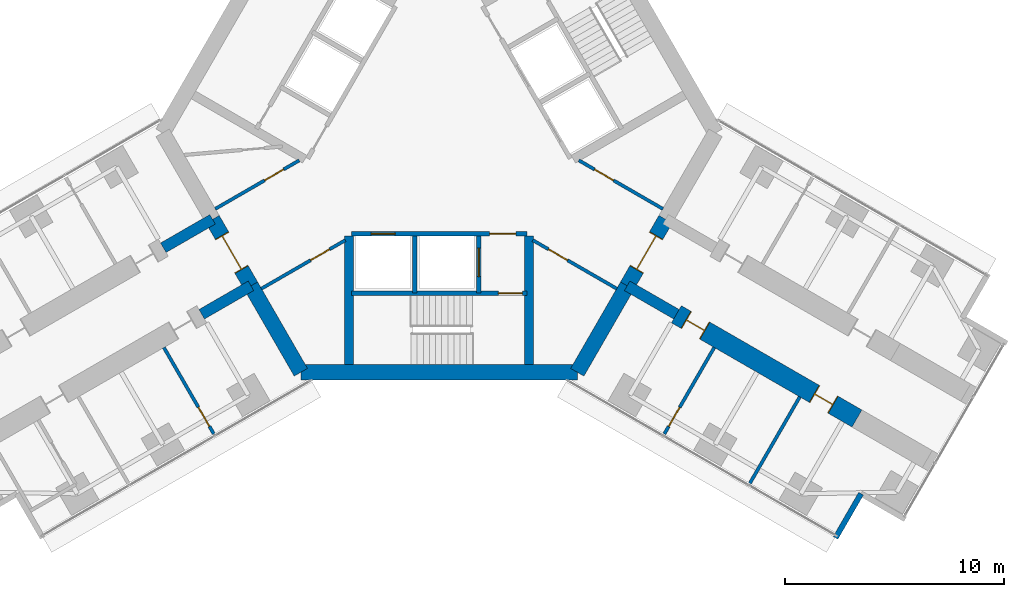
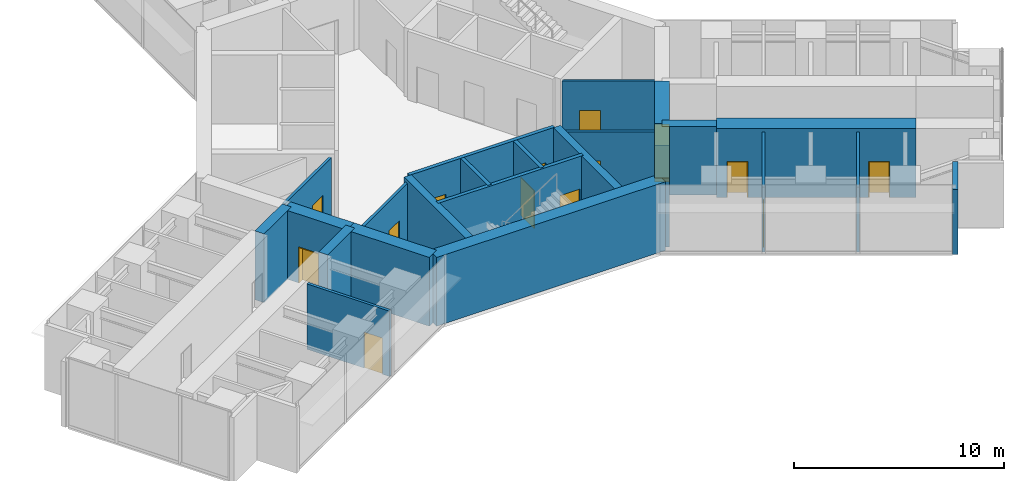
# One storey, part 20 of 24: 23 walls, 14 doors, 14 openings.
"""IFC4 building model written with IfcOpenShell, lengths in metres."""

from ifc_helpers import new_model, si_unit, direction, frame, frame_2d, origin, place, context, subcontext, project, spatial, rectangle, extrude, material, layer, layer_set, type_object, element, fill, save


model = new_model("IFC4")

# Units and contexts
model_context = context("Model", 3, precision=1e-05, world=origin(), true_north=direction((0.0, 1.0)))
body_context = subcontext(model_context, "Body", "Model", "MODEL_VIEW")
ifc_project = project(units=[si_unit("LENGTHUNIT", "METRE"), si_unit("AREAUNIT", "SQUARE_METRE"), si_unit("VOLUMEUNIT", "CUBIC_METRE"), si_unit("PLANEANGLEUNIT", "RADIAN"), si_unit("MASSUNIT", "GRAM", prefix="KILO")], contexts=[model_context])

# Site, building, storey
site_placement = place(None, origin())
site = spatial("IfcSite", under=ifc_project, at=site_placement, CompositionType="ELEMENT")
building_placement = place(site_placement, origin())
building = spatial("IfcBuilding", under=site, at=building_placement, Name="Upepo Twin Towers", CompositionType="ELEMENT")
storey_placement = place(building_placement, frame((0.0, 0.0, 68.5)))
storey = spatial("IfcBuildingStorey", under=building, at=storey_placement, Name="L16", CompositionType="ELEMENT", Elevation=68.5)

# Walls
ifc_material_1 = material(Name="Concrete C60/75", Category="concrete")
ifc_layer_1 = layer(ifc_material_1, 0.5)
ifc_layer_set_1 = layer_set([ifc_layer_1], Name="Concrete C60/75")
wall_type_1 = type_object("IfcWallType", Name="Buttress wall 500 RC", PredefinedType="SHEAR", material=ifc_layer_set_1)
for number, where, z_axis, x_axis, name in (
    (1, (49.92822265625, -24.9697265625, 0.0), (0.0, 0.0, 1.0), (-0.866031863473, -0.499988811324, 0.0), "T2 wing B buttress wall L"),
    (2, (48.17822265625, -21.938720703125, 0.0), (0.0, 0.0, 1.0), (-0.866072649678, -0.499918158782, 0.0), "T2 wing B buttress wall R"),
    (3, (67.07177734375, -24.9697265625, 0.0), (0.0, 0.0, 1.0), (0.866031863473, -0.499988811324, 0.0), "T2 wing C buttress wall R"),
):
    element("IfcWall", number, at=place(storey_placement, frame(where, z_axis=z_axis, x_axis=x_axis)), inside=storey, type_object=wall_type_1, Name=name, PredefinedType="SHEAR", context=body_context, shape_type="SweptSolid", body=[
        extrude(rectangle(XDim=2.591796875, YDim=0.5, at=frame_2d((1.2958984375, 0.0))), origin(), (0.0, 0.0, 1.0), 4.0),
    ])

# Wall, openings, doors
ifc_material_2 = material(Name="Concrete C60/75", Category="concrete")
ifc_layer_2 = layer(ifc_material_2, 0.89990234375)
ifc_layer_set_2 = layer_set([ifc_layer_2], Name="Concrete C60/75")
wall_type_2 = type_object("IfcWallType", Name="Buttress wall 900 RC", PredefinedType="SHEAR", material=ifc_layer_set_2)
wall_1_placement = place(storey_placement, frame((69.31640625, -26.265625, 0.0), z_axis=(0.0, 0.0, 1.0), x_axis=(0.86602681393, -0.499997557548, 0.0)))
wall_1 = element("IfcWall", 4, at=wall_1_placement, inside=storey, type_object=wall_type_2, Name="T2 wing C buttress wall R part 2", PredefinedType="SHEAR", context=body_context, shape_type="SweptSolid", body=[
    extrude(rectangle(XDim=9.5, YDim=0.89990234375, at=frame_2d((4.75, 0.0))), origin(), (0.0, 0.0, 1.0), 4.0),
])
opening_1_placement = place(wall_1_placement, frame((0.5, 0.0, 0.0)))
opening_1 = element("IfcOpeningElement", 5, at=opening_1_placement, cuts=wall_1, Name="Opening D1", PredefinedType="OPENING", context=body_context, shape_type="SweptSolid", body=[
    extrude(rectangle(XDim=1.0, YDim=2.10009765625, at=frame_2d((0.5, 1.050048828125))), frame((0.0, 0.4599609375, 0.0), z_axis=(0.0, -1.0, 0.0), x_axis=(1.0, 0.0, 0.0)), (0.0, 0.0, 1.0), 0.919921875),
])
opening_2_placement = place(wall_1_placement, frame((7.25, 0.0, 0.0)))
opening_2 = element("IfcOpeningElement", 6, at=opening_2_placement, cuts=wall_1, Name="Opening D1", PredefinedType="OPENING", context=body_context, shape_type="SweptSolid", body=[
    extrude(rectangle(XDim=1.0, YDim=2.10009765625, at=frame_2d((0.5, 1.050048828125))), frame((0.0, 0.4599609375, 0.0), z_axis=(0.0, -1.0, 0.0), x_axis=(1.0, 0.0, 0.0)), (0.0, 0.0, 1.0), 0.919921875),
])
ifc_material_3 = material(Name="Timber doorset", Category="wood")
door_type_1 = type_object("IfcDoorType", Name="Room door 1000 FD30", OperationType="SINGLE_SWING_LEFT", PredefinedType="DOOR", material=ifc_material_3)
door_1_placement = place(opening_1_placement, origin())
door_1 = element("IfcDoor", 7, at=door_1_placement, inside=storey, type_object=door_type_1, Name="T2 L16 staff office door", OperationType="SINGLE_SWING_LEFT", OverallHeight=2.10009765625, OverallWidth=1.0, PredefinedType="DOOR", context=body_context, shape_type="SweptSolid", body=[
    extrude(rectangle(XDim=0.92, YDim=2.06009765625, at=frame_2d((0.5, 1.030029296875))), frame((0.0, 0.02490234375, 0.0), z_axis=(0.0, -1.0, 0.0), x_axis=(1.0, 0.0, 0.0)), (0.0, 0.0, 1.0), 0.050048828125),
    extrude(rectangle(XDim=0.04, YDim=2.10009765625, at=frame_2d((0.02001953125, 1.050048828125))), frame((0.0, 0.44970703125, 0.0), z_axis=(0.0, -1.0, 0.0), x_axis=(1.0, 0.0, 0.0)), (0.0, 0.0, 1.0), 0.8994140625),
    extrude(rectangle(XDim=0.04, YDim=2.10009765625, at=frame_2d((0.97998046875, 1.050048828125))), frame((0.0, 0.44970703125, 0.0), z_axis=(0.0, -1.0, 0.0), x_axis=(1.0, 0.0, 0.0)), (0.0, 0.0, 1.0), 0.8994140625),
    extrude(rectangle(XDim=0.92, YDim=0.04, at=frame_2d((0.5, 2.080078125))), frame((0.0, 0.44970703125, 0.0), z_axis=(0.0, -1.0, 0.0), x_axis=(1.0, 0.0, 0.0)), (0.0, 0.0, 1.0), 0.8994140625),
])
fill(opening_1, door_1)
door_2_placement = place(opening_2_placement, origin())
door_2 = element("IfcDoor", 8, at=door_2_placement, inside=storey, type_object=door_type_1, Name="T2 L16 tutorial room door", OperationType="SINGLE_SWING_RIGHT", OverallHeight=2.10009765625, OverallWidth=1.0, PredefinedType="DOOR", context=body_context, shape_type="SweptSolid", body=[
    extrude(rectangle(XDim=0.92, YDim=2.06009765625, at=frame_2d((0.5, 1.030029296875))), frame((0.0, 0.02490234375, 0.0), z_axis=(0.0, -1.0, 0.0), x_axis=(1.0, 0.0, 0.0)), (0.0, 0.0, 1.0), 0.050048828125),
    extrude(rectangle(XDim=0.04, YDim=2.10009765625, at=frame_2d((0.02001953125, 1.050048828125))), frame((0.0, 0.44970703125, 0.0), z_axis=(0.0, -1.0, 0.0), x_axis=(1.0, 0.0, 0.0)), (0.0, 0.0, 1.0), 0.8994140625),
    extrude(rectangle(XDim=0.04, YDim=2.10009765625, at=frame_2d((0.97998046875, 1.050048828125))), frame((0.0, 0.44970703125, 0.0), z_axis=(0.0, -1.0, 0.0), x_axis=(1.0, 0.0, 0.0)), (0.0, 0.0, 1.0), 0.8994140625),
    extrude(rectangle(XDim=0.92, YDim=0.04, at=frame_2d((0.5, 2.080078125))), frame((0.0, 0.44970703125, 0.0), z_axis=(0.0, -1.0, 0.0), x_axis=(1.0, 0.0, 0.0)), (0.0, 0.0, 1.0), 0.8994140625),
])
fill(opening_2, door_2)

# Wall, opening, door
ifc_material_4 = material(Name="Concrete C60/75", Category="concrete")
ifc_layer_3 = layer(ifc_material_4, 0.699951171875)
ifc_layer_set_3 = layer_set([ifc_layer_3], Name="Concrete C60/75")
wall_type_3 = type_object("IfcWallType", Name="Core wall 700 RC", PredefinedType="SHEAR", material=ifc_layer_set_3)
wall_2_placement = place(storey_placement, frame((48.17822265625, -21.938720703125, 0.0), z_axis=(0.0, 0.0, 1.0), x_axis=(0.500010275428, -0.866019471182, 0.0)))
wall_2 = element("IfcWall", 9, at=wall_2_placement, inside=storey, type_object=wall_type_3, Name="T2 core wall 120", PredefinedType="SHEAR", context=body_context, shape_type="SweptSolid", body=[
    extrude(rectangle(XDim=3.5, YDim=0.699951171875, at=frame_2d((1.75, 0.0))), origin(), (0.0, 0.0, 1.0), 4.0),
])
opening_3_placement = place(wall_2_placement, frame((0.85009765625, 0.0, 0.0)))
opening_3 = element("IfcOpeningElement", 10, at=opening_3_placement, cuts=wall_2, Name="Opening D2", PredefinedType="OPENING", context=body_context, shape_type="SweptSolid", body=[
    extrude(rectangle(XDim=1.800048828125, YDim=2.10009765625, at=frame_2d((0.89990234375, 1.050048828125))), frame((0.0, 0.35986328125, 0.0), z_axis=(0.0, -1.0, 0.0), x_axis=(1.0, 0.0, 0.0)), (0.0, 0.0, 1.0), 0.719970703125),
])
ifc_material_5 = material(Name="Timber doorset", Category="wood")
door_type_2 = type_object("IfcDoorType", Name="Corridor double door 1800 FD60", OperationType="DOUBLE_DOOR_DOUBLE_SWING", PredefinedType="DOOR", material=ifc_material_5)
door_3_placement = place(opening_3_placement, origin())
door_3 = element("IfcDoor", 11, at=door_3_placement, inside=storey, type_object=door_type_2, Name="T2 L16 wing B corridor door", OperationType="DOUBLE_DOOR_DOUBLE_SWING", OverallHeight=2.10009765625, OverallWidth=1.800048828125, PredefinedType="DOOR", context=body_context, shape_type="SweptSolid", body=[
    extrude(rectangle(XDim=1.720048828125, YDim=2.06009765625, at=frame_2d((0.89990234375, 1.030029296875))), frame((0.0, 0.02490234375, 0.0), z_axis=(0.0, -1.0, 0.0), x_axis=(1.0, 0.0, 0.0)), (0.0, 0.0, 1.0), 0.050048828125),
    extrude(rectangle(XDim=0.04, YDim=2.10009765625, at=frame_2d((0.02001953125, 1.050048828125))), frame((0.0, 0.349609375, 0.0), z_axis=(0.0, -1.0, 0.0), x_axis=(1.0, 0.0, 0.0)), (0.0, 0.0, 1.0), 0.699462890625),
    extrude(rectangle(XDim=0.04, YDim=2.10009765625, at=frame_2d((1.780029296875, 1.050048828125))), frame((0.0, 0.349609375, 0.0), z_axis=(0.0, -1.0, 0.0), x_axis=(1.0, 0.0, 0.0)), (0.0, 0.0, 1.0), 0.699462890625),
    extrude(rectangle(XDim=1.720048828125, YDim=0.04, at=frame_2d((0.89990234375, 2.080078125))), frame((0.0, 0.349609375, 0.0), z_axis=(0.0, -1.0, 0.0), x_axis=(1.0, 0.0, 0.0)), (0.0, 0.0, 1.0), 0.699462890625),
])
fill(opening_3, door_3)

# Walls
wall_3_placement = place(storey_placement, frame((49.92822265625, -24.9697265625, 0.0), z_axis=(0.0, 0.0, 1.0), x_axis=(0.499984222037, -0.866034513004, 0.0)))
element("IfcWall", 12, at=wall_3_placement, inside=storey, type_object=wall_type_3, Name="T2 core wall 120 L", PredefinedType="SHEAR", context=body_context, shape_type="SweptSolid", body=[
    extrude(rectangle(XDim=4.548095703125, YDim=0.699951171875, at=frame_2d((2.27392578125, 0.0))), origin(), (0.0, 0.0, 1.0), 4.0),
])
wall_4_placement = place(storey_placement, frame((52.2021484375, -28.908447265625, 0.0), z_axis=(0.0, 0.0, 1.0), x_axis=(1.0, 0.0, 0.0)))
element("IfcWall", 13, at=wall_4_placement, inside=storey, type_object=wall_type_3, Name="T2 core wall 180", PredefinedType="SHEAR", context=body_context, shape_type="SweptSolid", body=[
    extrude(rectangle(XDim=12.595703125, YDim=0.699951171875, at=frame_2d((6.2978515625, 0.0))), origin(), (0.0, 0.0, 1.0), 4.0),
])
wall_5_placement = place(storey_placement, frame((64.7978515625, -28.908447265625, 0.0), z_axis=(0.0, 0.0, 1.0), x_axis=(0.499984222037, 0.866034513004, 0.0)))
element("IfcWall", 14, at=wall_5_placement, inside=storey, type_object=wall_type_3, Name="T2 core wall 240 R", PredefinedType="SHEAR", context=body_context, shape_type="SweptSolid", body=[
    extrude(rectangle(XDim=4.548095703125, YDim=0.699951171875, at=frame_2d((2.27392578125, 0.0))), origin(), (0.0, 0.0, 1.0), 4.0),
])

# Wall, opening, door
wall_6_placement = place(storey_placement, frame((67.07177734375, -24.9697265625, 0.0), z_axis=(0.0, 0.0, 1.0), x_axis=(0.500010275428, 0.866019471182, 0.0)))
wall_6 = element("IfcWall", 15, at=wall_6_placement, inside=storey, type_object=wall_type_3, Name="T2 core wall 240", PredefinedType="SHEAR", context=body_context, shape_type="SweptSolid", body=[
    extrude(rectangle(XDim=3.5, YDim=0.699951171875, at=frame_2d((1.75, 0.0))), origin(), (0.0, 0.0, 1.0), 4.0),
])
opening_4_placement = place(wall_6_placement, frame((0.85009765625, 0.0, 0.0)))
opening_4 = element("IfcOpeningElement", 16, at=opening_4_placement, cuts=wall_6, Name="Opening D2", PredefinedType="OPENING", context=body_context, shape_type="SweptSolid", body=[
    extrude(rectangle(XDim=1.800048828125, YDim=2.10009765625, at=frame_2d((0.89990234375, 1.050048828125))), frame((0.0, 0.35986328125, 0.0), z_axis=(0.0, -1.0, 0.0), x_axis=(1.0, 0.0, 0.0)), (0.0, 0.0, 1.0), 0.719970703125),
])
door_4_placement = place(opening_4_placement, origin())
door_4 = element("IfcDoor", 17, at=door_4_placement, inside=storey, type_object=door_type_2, Name="T2 L16 wing C corridor door", OperationType="DOUBLE_DOOR_DOUBLE_SWING", OverallHeight=2.10009765625, OverallWidth=1.800048828125, PredefinedType="DOOR", context=body_context, shape_type="SweptSolid", body=[
    extrude(rectangle(XDim=1.720048828125, YDim=2.06009765625, at=frame_2d((0.89990234375, 1.030029296875))), frame((0.0, 0.02490234375, 0.0), z_axis=(0.0, -1.0, 0.0), x_axis=(1.0, 0.0, 0.0)), (0.0, 0.0, 1.0), 0.050048828125),
    extrude(rectangle(XDim=0.04, YDim=2.10009765625, at=frame_2d((0.02001953125, 1.050048828125))), frame((0.0, 0.349609375, 0.0), z_axis=(0.0, -1.0, 0.0), x_axis=(1.0, 0.0, 0.0)), (0.0, 0.0, 1.0), 0.699462890625),
    extrude(rectangle(XDim=0.04, YDim=2.10009765625, at=frame_2d((1.780029296875, 1.050048828125))), frame((0.0, 0.349609375, 0.0), z_axis=(0.0, -1.0, 0.0), x_axis=(1.0, 0.0, 0.0)), (0.0, 0.0, 1.0), 0.699462890625),
    extrude(rectangle(XDim=1.720048828125, YDim=0.04, at=frame_2d((0.89990234375, 2.080078125))), frame((0.0, 0.349609375, 0.0), z_axis=(0.0, -1.0, 0.0), x_axis=(1.0, 0.0, 0.0)), (0.0, 0.0, 1.0), 0.699462890625),
])
fill(opening_4, door_4)

# Wall
ifc_material_6 = material(Name="Blockwork with anodised aluminium cladding", Category="masonry")
ifc_layer_4 = layer(ifc_material_6, 0.25)
ifc_layer_set_4 = layer_set([ifc_layer_4], Name="Notch cladding wall 250, pale metal")
wall_type_4 = type_object("IfcWallType", Name="Notch cladding wall 250, pale metal", PredefinedType="STANDARD", material=ifc_layer_set_4)
wall_7_placement = place(storey_placement, frame((76.5673828125, -36.456298828125, 0.0), z_axis=(0.0, 0.0, 1.0), x_axis=(0.500046648681, 0.865998469481, 0.0)))
element("IfcWall", 18, at=wall_7_placement, inside=storey, type_object=wall_type_4, Name="T2 L16 wing C notch wall R1", PredefinedType="STANDARD", context=body_context, shape_type="SweptSolid", body=[
    extrude(rectangle(XDim=2.324951171875, YDim=0.25, at=frame_2d((1.16259765625, 0.0))), origin(), (0.0, 0.0, 1.0), 3.800048828125),
])

# Wall, openings, doors
ifc_material_7 = material(Name="Concrete C40/50", Category="concrete")
ifc_layer_5 = layer(ifc_material_7, 0.199951171875)
ifc_layer_set_5 = layer_set([ifc_layer_5], Name="Concrete C40/50")
wall_type_5 = type_object("IfcWallType", Name="Shaft wall 200 RC", PredefinedType="SHEAR", material=ifc_layer_set_5)
wall_8_placement = place(storey_placement, frame((54.5, -22.60009765625, 0.0), z_axis=(0.0, 0.0, 1.0), x_axis=(1.0, 0.0, 0.0)))
wall_8 = element("IfcWall", 19, at=wall_8_placement, inside=storey, type_object=wall_type_5, Name="T2 core W180 front wall", PredefinedType="SHEAR", context=body_context, shape_type="SweptSolid", body=[
    extrude(rectangle(XDim=8.0, YDim=0.199951171875, at=frame_2d((4.0, 0.0))), origin(), (0.0, 0.0, 1.0), 4.0),
])
opening_5_placement = place(wall_8_placement, frame((6.300048828125, 0.0, 0.0)))
opening_5 = element("IfcOpeningElement", 20, at=opening_5_placement, cuts=wall_8, Name="Opening D4", PredefinedType="OPENING", context=body_context, shape_type="SweptSolid", body=[
    extrude(rectangle(XDim=1.199951171875, YDim=2.10009765625, at=frame_2d((0.60009765625, 1.050048828125))), frame((0.0, 0.10986328125, 0.0), z_axis=(0.0, -1.0, 0.0), x_axis=(1.0, 0.0, 0.0)), (0.0, 0.0, 1.0), 0.219970703125),
])
opening_6_placement = place(wall_8_placement, frame((0.89990234375, 0.0, 0.0)))
opening_6 = element("IfcOpeningElement", 21, at=opening_6_placement, cuts=wall_8, Name="Opening LD1", PredefinedType="OPENING", context=body_context, shape_type="SweptSolid", body=[
    extrude(rectangle(XDim=1.10009765625, YDim=2.199951171875, at=frame_2d((0.550048828125, 1.10009765625))), frame((0.0, 0.10986328125, 0.0), z_axis=(0.0, -1.0, 0.0), x_axis=(1.0, 0.0, 0.0)), (0.0, 0.0, 1.0), 0.219970703125),
])
ifc_material_8 = material(Name="Steel doorset", Category="steel")
door_type_3 = type_object("IfcDoorType", Name="Lift landing door 1100", OperationType="DOUBLE_DOOR_SLIDING", PredefinedType="DOOR", material=ifc_material_8)
door_5_placement = place(opening_6_placement, origin())
door_5 = element("IfcDoor", 22, at=door_5_placement, inside=storey, type_object=door_type_3, Name="T2 L16 lift SV1 landing door", OperationType="DOUBLE_DOOR_SLIDING", OverallHeight=2.199951171875, OverallWidth=1.10009765625, PredefinedType="DOOR", context=body_context, shape_type="SweptSolid", body=[
    extrude(rectangle(XDim=1.10009765625, YDim=2.199951171875, at=frame_2d((0.550048828125, 1.10009765625))), frame((0.0, 0.02490234375, 0.0), z_axis=(0.0, -1.0, 0.0), x_axis=(1.0, 0.0, 0.0)), (0.0, 0.0, 1.0), 0.050048828125),
])
fill(opening_6, door_5)
ifc_material_9 = material(Name="Timber doorset", Category="wood")
door_type_4 = type_object("IfcDoorType", Name="Lobby door 1200 FD60", OperationType="SINGLE_SWING_LEFT", PredefinedType="DOOR", material=ifc_material_9)
door_6_placement = place(opening_5_placement, origin())
door_6 = element("IfcDoor", 23, at=door_6_placement, inside=storey, type_object=door_type_4, Name="T2 L16 W180 lobby door", OperationType="SINGLE_SWING_RIGHT", OverallHeight=2.10009765625, OverallWidth=1.199951171875, PredefinedType="DOOR", context=body_context, shape_type="SweptSolid", body=[
    extrude(rectangle(XDim=1.199951171875, YDim=2.10009765625, at=frame_2d((0.60009765625, 1.050048828125))), frame((0.0, 0.02490234375, 0.0), z_axis=(0.0, -1.0, 0.0), x_axis=(1.0, 0.0, 0.0)), (0.0, 0.0, 1.0), 0.050048828125),
])
fill(opening_5, door_6)

# Wall
wall_9_placement = place(storey_placement, frame((57.39990234375, -22.699951171875, 0.0), z_axis=(0.0, 0.0, 1.0), x_axis=(0.0, -1.0, 0.0)))
element("IfcWall", 24, at=wall_9_placement, inside=storey, type_object=wall_type_5, Name="T2 core W180 shaft divider", PredefinedType="SHEAR", context=body_context, shape_type="SweptSolid", body=[
    extrude(rectangle(XDim=2.60009765625, YDim=0.199951171875, at=frame_2d((1.300048828125, 0.0))), origin(), (0.0, 0.0, 1.0), 4.0),
])

# Wall, opening, door
wall_10_placement = place(storey_placement, frame((60.300048828125, -22.699951171875, 0.0), z_axis=(0.0, 0.0, 1.0), x_axis=(0.0, -1.0, 0.0)))
wall_10 = element("IfcWall", 25, at=wall_10_placement, inside=storey, type_object=wall_type_5, Name="T2 core W180 lobby wall", PredefinedType="SHEAR", context=body_context, shape_type="SweptSolid", body=[
    extrude(rectangle(XDim=2.60009765625, YDim=0.199951171875, at=frame_2d((1.300048828125, 0.0))), origin(), (0.0, 0.0, 1.0), 4.0),
])
opening_7_placement = place(wall_10_placement, frame((0.550048828125, 0.0, 0.0)))
opening_7 = element("IfcOpeningElement", 26, at=opening_7_placement, cuts=wall_10, Name="Opening LD2", PredefinedType="OPENING", context=body_context, shape_type="SweptSolid", body=[
    extrude(rectangle(XDim=1.300048828125, YDim=2.199951171875, at=frame_2d((0.64990234375, 1.10009765625))), frame((0.0, 0.10986328125, 0.0), z_axis=(0.0, -1.0, 0.0), x_axis=(1.0, 0.0, 0.0)), (0.0, 0.0, 1.0), 0.219970703125),
])
ifc_material_10 = material(Name="Steel doorset", Category="steel")
door_type_5 = type_object("IfcDoorType", Name="Firefighting lift landing door 1300", OperationType="DOUBLE_DOOR_SLIDING", PredefinedType="DOOR", material=ifc_material_10)
door_7_placement = place(opening_7_placement, origin())
door_7 = element("IfcDoor", 27, at=door_7_placement, inside=storey, type_object=door_type_5, Name="T2 L16 firefighting lift landing door", OperationType="DOUBLE_DOOR_SLIDING", OverallHeight=2.199951171875, OverallWidth=1.300048828125, PredefinedType="DOOR", context=body_context, shape_type="SweptSolid", body=[
    extrude(rectangle(XDim=1.300048828125, YDim=2.199951171875, at=frame_2d((0.64990234375, 1.10009765625))), frame((0.0, 0.02490234375, 0.0), z_axis=(0.0, -1.0, 0.0), x_axis=(1.0, 0.0, 0.0)), (0.0, 0.0, 1.0), 0.050048828125),
])
fill(opening_7, door_7)

wall_11_placement = place(storey_placement, frame((54.5, -25.300048828125, 0.0), z_axis=(0.0, 0.0, 1.0), x_axis=(1.0, 0.0, 0.0)))
wall_11 = element("IfcWall", 28, at=wall_11_placement, inside=storey, type_object=wall_type_5, Name="T2 core W180 stair wall", PredefinedType="SHEAR", context=body_context, shape_type="SweptSolid", body=[
    extrude(rectangle(XDim=8.0, YDim=0.199951171875, at=frame_2d((4.0, 0.0))), origin(), (0.0, 0.0, 1.0), 4.0),
])
opening_8_placement = place(wall_11_placement, frame((6.699951171875, 0.0, 0.0)))
opening_8 = element("IfcOpeningElement", 29, at=opening_8_placement, cuts=wall_11, Name="Opening D3", PredefinedType="OPENING", context=body_context, shape_type="SweptSolid", body=[
    extrude(rectangle(XDim=1.10009765625, YDim=2.10009765625, at=frame_2d((0.550048828125, 1.050048828125))), frame((0.0, 0.10986328125, 0.0), z_axis=(0.0, -1.0, 0.0), x_axis=(1.0, 0.0, 0.0)), (0.0, 0.0, 1.0), 0.219970703125),
])
ifc_material_11 = material(Name="Timber doorset", Category="wood")
door_type_6 = type_object("IfcDoorType", Name="Stair door 1100 FD60", OperationType="SINGLE_SWING_LEFT", PredefinedType="DOOR", material=ifc_material_11)
door_8_placement = place(opening_8_placement, origin())
door_8 = element("IfcDoor", 30, at=door_8_placement, inside=storey, type_object=door_type_6, Name="T2 L16 stair door", OperationType="SINGLE_SWING_RIGHT", OverallHeight=2.10009765625, OverallWidth=1.10009765625, PredefinedType="DOOR", context=body_context, shape_type="SweptSolid", body=[
    extrude(rectangle(XDim=1.10009765625, YDim=2.10009765625, at=frame_2d((0.550048828125, 1.050048828125))), frame((0.0, 0.02490234375, 0.0), z_axis=(0.0, -1.0, 0.0), x_axis=(1.0, 0.0, 0.0)), (0.0, 0.0, 1.0), 0.050048828125),
])
fill(opening_8, door_8)

# Walls
ifc_material_12 = material(Name="Concrete C40/50", Category="concrete")
ifc_layer_6 = layer(ifc_material_12, 0.39990234375)
ifc_layer_set_6 = layer_set([ifc_layer_6], Name="Concrete C40/50")
wall_type_6 = type_object("IfcWallType", Name="Shaft wall 400 RC", PredefinedType="SHEAR", material=ifc_layer_set_6)
for number, where, z_axis, x_axis, name in (
    (31, (62.60009765625, -22.699951171875, 0.0), (0.0, 0.0, 1.0), (0.0, -1.0, 0.0), "T2 core W180 side wall N"),
    (32, (54.39990234375, -22.699951171875, 0.0), (0.0, 0.0, 1.0), (0.0, -1.0, 0.0), "T2 core W180 side wall S"),
):
    element("IfcWall", number, at=place(storey_placement, frame(where, z_axis=z_axis, x_axis=x_axis)), inside=storey, type_object=wall_type_6, Name=name, PredefinedType="SHEAR", context=body_context, shape_type="SweptSolid", body=[
        extrude(rectangle(XDim=5.8583984375, YDim=0.39990234375, at=frame_2d((2.92919921875, 0.0))), origin(), (0.0, 0.0, 1.0), 4.0),
    ])

# Wall, opening, door
ifc_material_13 = material(Name="Gypsum board on steel studs", Category="steel")
ifc_layer_7 = layer(ifc_material_13, 0.14990234375)
ifc_layer_set_7 = layer_set([ifc_layer_7], Name="Teaching partition 150 acoustic")
wall_type_7 = type_object("IfcWallType", Name="Teaching partition 150 acoustic", PredefinedType="PARTITIONING", material=ifc_layer_set_7)
wall_12_placement = place(storey_placement, frame((45.960205078125, -27.7802734375, 0.0), z_axis=(0.0, 0.0, 1.0), x_axis=(0.499982560684, -0.866035472144, 0.0)))
wall_12 = element("IfcWall", 33, at=wall_12_placement, inside=storey, type_object=wall_type_7, Name="T2 partition BL at 15.75", PredefinedType="PARTITIONING", context=body_context, shape_type="SweptSolid", body=[
    extrude(rectangle(XDim=4.550048828125, YDim=0.14990234375, at=frame_2d((2.27490234375, 0.0))), origin(), (0.0, 0.0, 1.0), 3.800048828125),
])
opening_9_placement = place(wall_12_placement, frame((3.14990234375, 0.0, 0.0)))
opening_9 = element("IfcOpeningElement", 34, at=opening_9_placement, cuts=wall_12, Name="Opening D1", PredefinedType="OPENING", context=body_context, shape_type="SweptSolid", body=[
    extrude(rectangle(XDim=1.0, YDim=2.10009765625, at=frame_2d((0.5, 1.050048828125))), frame((0.0, 0.0849609375, 0.0), z_axis=(0.0, -1.0, 0.0), x_axis=(1.0, 0.0, 0.0)), (0.0, 0.0, 1.0), 0.169921875),
])
door_9_placement = place(opening_9_placement, origin())
door_9 = element("IfcDoor", 35, at=door_9_placement, inside=storey, type_object=door_type_1, Name="T2 L16 connecting door", OperationType="SINGLE_SWING_RIGHT", OverallHeight=2.10009765625, OverallWidth=1.0, PredefinedType="DOOR", context=body_context, shape_type="SweptSolid", body=[
    extrude(rectangle(XDim=1.0, YDim=2.10009765625, at=frame_2d((0.5, 1.050048828125))), frame((0.0, 0.02490234375, 0.0), z_axis=(0.0, -1.0, 0.0), x_axis=(1.0, 0.0, 0.0)), (0.0, 0.0, 1.0), 0.050048828125),
])
fill(opening_9, door_9)

wall_13_placement = place(storey_placement, frame((71.039794921875, -27.7802734375, 0.0), z_axis=(0.0, 0.0, 1.0), x_axis=(-0.499982560684, -0.866035472144, 0.0)))
wall_13 = element("IfcWall", 36, at=wall_13_placement, inside=storey, type_object=wall_type_7, Name="T2 partition CR at 15.75", PredefinedType="PARTITIONING", context=body_context, shape_type="SweptSolid", body=[
    extrude(rectangle(XDim=4.550048828125, YDim=0.14990234375, at=frame_2d((2.27490234375, 0.0))), origin(), (0.0, 0.0, 1.0), 3.800048828125),
])
opening_10_placement = place(wall_13_placement, frame((3.14990234375, 0.0, 0.0)))
opening_10 = element("IfcOpeningElement", 37, at=opening_10_placement, cuts=wall_13, Name="Opening D1", PredefinedType="OPENING", context=body_context, shape_type="SweptSolid", body=[
    extrude(rectangle(XDim=1.0, YDim=2.10009765625, at=frame_2d((0.5, 1.050048828125))), frame((0.0, 0.0849609375, 0.0), z_axis=(0.0, -1.0, 0.0), x_axis=(1.0, 0.0, 0.0)), (0.0, 0.0, 1.0), 0.169921875),
])
door_10_placement = place(opening_10_placement, origin())
door_10 = element("IfcDoor", 38, at=door_10_placement, inside=storey, type_object=door_type_1, Name="T2 L16 connecting door", OperationType="SINGLE_SWING_RIGHT", OverallHeight=2.10009765625, OverallWidth=1.0, PredefinedType="DOOR", context=body_context, shape_type="SweptSolid", body=[
    extrude(rectangle(XDim=1.0, YDim=2.10009765625, at=frame_2d((0.5, 1.050048828125))), frame((0.0, 0.02490234375, 0.0), z_axis=(0.0, -1.0, 0.0), x_axis=(1.0, 0.0, 0.0)), (0.0, 0.0, 1.0), 0.050048828125),
])
fill(opening_10, door_10)

# Wall
wall_14_placement = place(storey_placement, frame((74.93701171875, -30.0302734375, 0.0), z_axis=(0.0, 0.0, 1.0), x_axis=(-0.499982560684, -0.866035472144, 0.0)))
element("IfcWall", 39, at=wall_14_placement, inside=storey, type_object=wall_type_7, Name="T2 partition CR at 20.25", PredefinedType="PARTITIONING", context=body_context, shape_type="SweptSolid", body=[
    extrude(rectangle(XDim=4.550048828125, YDim=0.14990234375, at=frame_2d((2.27490234375, 0.0))), origin(), (0.0, 0.0, 1.0), 3.800048828125),
])

# Wall, opening, door
wall_15_placement = place(storey_placement, frame((48.297607421875, -21.465576171875, 0.0), z_axis=(0.0, 0.0, 1.0), x_axis=(0.866021148949, 0.500007369519, 0.0)))
wall_15 = element("IfcWall", 40, at=wall_15_placement, inside=storey, type_object=wall_type_7, Name="T2 core room partition 1", PredefinedType="PARTITIONING", context=body_context, shape_type="SweptSolid", body=[
    extrude(rectangle(XDim=4.42578125, YDim=0.14990234375, at=frame_2d((2.212890625, 0.0))), origin(), (0.0, 0.0, 1.0), 3.800048828125),
])
opening_11_placement = place(wall_15_placement, frame((2.597900390625, 0.0, 0.0)))
opening_11 = element("IfcOpeningElement", 41, at=opening_11_placement, cuts=wall_15, Name="Opening D1", PredefinedType="OPENING", context=body_context, shape_type="SweptSolid", body=[
    extrude(rectangle(XDim=1.0, YDim=2.10009765625, at=frame_2d((0.5, 1.050048828125))), frame((0.0, 0.0849609375, 0.0), z_axis=(0.0, -1.0, 0.0), x_axis=(1.0, 0.0, 0.0)), (0.0, 0.0, 1.0), 0.169921875),
])
door_11_placement = place(opening_11_placement, origin())
door_11 = element("IfcDoor", 42, at=door_11_placement, inside=storey, type_object=door_type_1, Name="T2 L16 core room door K2", OperationType="SINGLE_SWING_RIGHT", OverallHeight=2.10009765625, OverallWidth=1.0, PredefinedType="DOOR", context=body_context, shape_type="SweptSolid", body=[
    extrude(rectangle(XDim=1.0, YDim=2.10009765625, at=frame_2d((0.5, 1.050048828125))), frame((0.0, 0.02490234375, 0.0), z_axis=(0.0, -1.0, 0.0), x_axis=(1.0, 0.0, 0.0)), (0.0, 0.0, 1.0), 0.050048828125),
])
fill(opening_11, door_11)

wall_16_placement = place(storey_placement, frame((64.86962890625, -19.252685546875, 0.0), z_axis=(0.0, 0.0, 1.0), x_axis=(0.866021148949, -0.500007369519, 0.0)))
wall_16 = element("IfcWall", 43, at=wall_16_placement, inside=storey, type_object=wall_type_7, Name="T2 core room partition 4", PredefinedType="PARTITIONING", context=body_context, shape_type="SweptSolid", body=[
    extrude(rectangle(XDim=4.42578125, YDim=0.14990234375, at=frame_2d((2.212890625, 0.0))), origin(), (0.0, 0.0, 1.0), 3.800048828125),
])
opening_12_placement = place(wall_16_placement, frame((0.82763671875, 0.0, 0.0)))
opening_12 = element("IfcOpeningElement", 44, at=opening_12_placement, cuts=wall_16, Name="Opening D1", PredefinedType="OPENING", context=body_context, shape_type="SweptSolid", body=[
    extrude(rectangle(XDim=1.0, YDim=2.10009765625, at=frame_2d((0.5, 1.050048828125))), frame((0.0, 0.0849609375, 0.0), z_axis=(0.0, -1.0, 0.0), x_axis=(1.0, 0.0, 0.0)), (0.0, 0.0, 1.0), 0.169921875),
])
door_12_placement = place(opening_12_placement, origin())
door_12 = element("IfcDoor", 45, at=door_12_placement, inside=storey, type_object=door_type_1, Name="T2 L16 core room door K5", OperationType="SINGLE_SWING_LEFT", OverallHeight=2.10009765625, OverallWidth=1.0, PredefinedType="DOOR", context=body_context, shape_type="SweptSolid", body=[
    extrude(rectangle(XDim=1.0, YDim=2.10009765625, at=frame_2d((0.5, 1.050048828125))), frame((0.0, 0.02490234375, 0.0), z_axis=(0.0, -1.0, 0.0), x_axis=(1.0, 0.0, 0.0)), (0.0, 0.0, 1.0), 0.050048828125),
])
fill(opening_12, door_12)

wall_17_placement = place(storey_placement, frame((66.6025390625, -25.102783203125, 0.0), z_axis=(0.0, 0.0, 1.0), x_axis=(-0.866021148949, 0.500007369519, 0.0)))
wall_17 = element("IfcWall", 46, at=wall_17_placement, inside=storey, type_object=wall_type_7, Name="T2 core room partition 5", PredefinedType="PARTITIONING", context=body_context, shape_type="SweptSolid", body=[
    extrude(rectangle(XDim=4.42578125, YDim=0.14990234375, at=frame_2d((2.212890625, 0.0))), origin(), (0.0, 0.0, 1.0), 3.800048828125),
])
opening_13_placement = place(wall_17_placement, frame((2.597900390625, 0.0, 0.0)))
opening_13 = element("IfcOpeningElement", 47, at=opening_13_placement, cuts=wall_17, Name="Opening D1", PredefinedType="OPENING", context=body_context, shape_type="SweptSolid", body=[
    extrude(rectangle(XDim=1.0, YDim=2.10009765625, at=frame_2d((0.5, 1.050048828125))), frame((0.0, 0.0849609375, 0.0), z_axis=(0.0, -1.0, 0.0), x_axis=(1.0, 0.0, 0.0)), (0.0, 0.0, 1.0), 0.169921875),
])
door_13_placement = place(opening_13_placement, origin())
door_13 = element("IfcDoor", 48, at=door_13_placement, inside=storey, type_object=door_type_1, Name="T2 L16 core room door K4", OperationType="SINGLE_SWING_RIGHT", OverallHeight=2.10009765625, OverallWidth=1.0, PredefinedType="DOOR", context=body_context, shape_type="SweptSolid", body=[
    extrude(rectangle(XDim=1.0, YDim=2.10009765625, at=frame_2d((0.5, 1.050048828125))), frame((0.0, 0.02490234375, 0.0), z_axis=(0.0, -1.0, 0.0), x_axis=(1.0, 0.0, 0.0)), (0.0, 0.0, 1.0), 0.050048828125),
])
fill(opening_13, door_13)

wall_18_placement = place(storey_placement, frame((54.230224609375, -22.889892578125, 0.0), z_axis=(0.0, 0.0, 1.0), x_axis=(-0.866021148949, -0.500007369519, 0.0)))
wall_18 = element("IfcWall", 49, at=wall_18_placement, inside=storey, type_object=wall_type_7, Name="T2 core room partition 6", PredefinedType="PARTITIONING", context=body_context, shape_type="SweptSolid", body=[
    extrude(rectangle(XDim=4.42578125, YDim=0.14990234375, at=frame_2d((2.212890625, 0.0))), origin(), (0.0, 0.0, 1.0), 3.800048828125),
])
opening_14_placement = place(wall_18_placement, frame((0.82763671875, 0.0, 0.0)))
opening_14 = element("IfcOpeningElement", 50, at=opening_14_placement, cuts=wall_18, Name="Opening D1", PredefinedType="OPENING", context=body_context, shape_type="SweptSolid", body=[
    extrude(rectangle(XDim=1.0, YDim=2.10009765625, at=frame_2d((0.5, 1.050048828125))), frame((0.0, 0.0849609375, 0.0), z_axis=(0.0, -1.0, 0.0), x_axis=(1.0, 0.0, 0.0)), (0.0, 0.0, 1.0), 0.169921875),
])
door_14_placement = place(opening_14_placement, origin())
door_14 = element("IfcDoor", 51, at=door_14_placement, inside=storey, type_object=door_type_1, Name="T2 L16 core room door K3", OperationType="SINGLE_SWING_LEFT", OverallHeight=2.10009765625, OverallWidth=1.0, PredefinedType="DOOR", context=body_context, shape_type="SweptSolid", body=[
    extrude(rectangle(XDim=1.0, YDim=2.10009765625, at=frame_2d((0.5, 1.050048828125))), frame((0.0, 0.02490234375, 0.0), z_axis=(0.0, -1.0, 0.0), x_axis=(1.0, 0.0, 0.0)), (0.0, 0.0, 1.0), 0.050048828125),
])
fill(opening_14, door_14)

save(model, "model.ifc")
